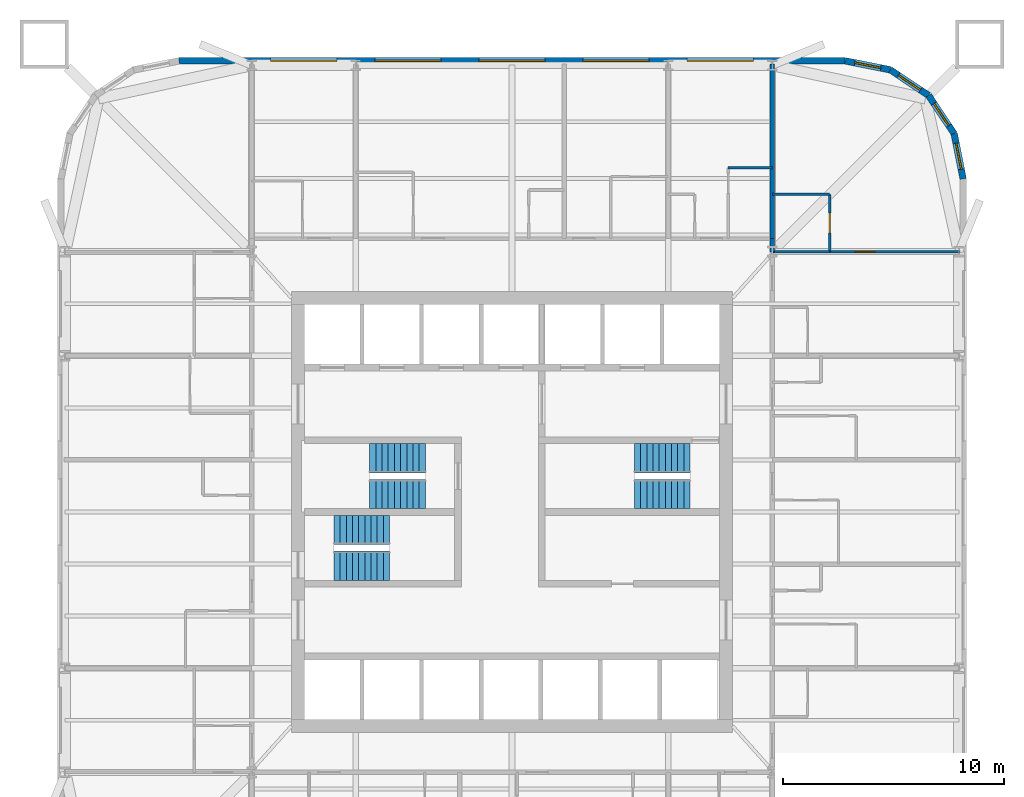
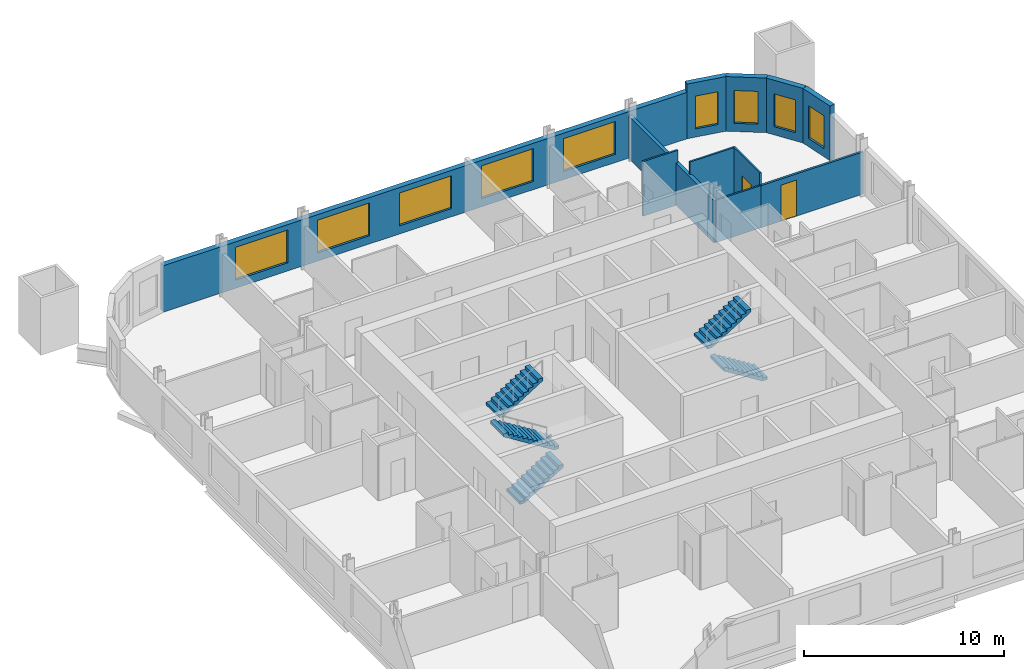
# One storey, part 7 of 8: 12 walls, 9 windows, 6 stair flights, 2 doors, 11 openings, 3 elements without a shape of their own.
"""IFC4 building model written with IfcOpenShell, lengths in metres."""

from ifc_helpers import new_model, si_unit, direction, frame, frame_2d, origin, place, context, subcontext, project, spatial, polyline, rectangle, outline, extrude, material, layer, layer_set, type_object, element, fill, aggregate, save


model = new_model("IFC4")

# Units and contexts
model_context = context("Model", 3, precision=1e-05, world=origin(), true_north=direction((0.0, 1.0)))
body_context = subcontext(model_context, "Body", "Model", "MODEL_VIEW")
ifc_project = project(units=[si_unit("LENGTHUNIT", "METRE"), si_unit("AREAUNIT", "SQUARE_METRE"), si_unit("VOLUMEUNIT", "CUBIC_METRE"), si_unit("PLANEANGLEUNIT", "RADIAN"), si_unit("MASSUNIT", "GRAM", prefix="KILO")], contexts=[model_context])

# Site, building, storey
site_placement = place(None, origin())
site = spatial("IfcSite", under=ifc_project, at=site_placement, CompositionType="ELEMENT")
building_placement = place(site_placement, origin())
building = spatial("IfcBuilding", under=site, at=building_placement, Name="Turquesa Mirador Hotel Tower", CompositionType="ELEMENT")
storey_placement = place(building_placement, frame((0.0, 0.0, 103.89990234375)))
storey = spatial("IfcBuildingStorey", under=building, at=storey_placement, Name="L27", CompositionType="ELEMENT", Elevation=103.89990234375)

# Walls
ifc_material_1 = material(Name="Gypsum board on steel studs", Category="steel")
ifc_layer_1 = layer(ifc_material_1, 0.10009765625)
ifc_layer_set_1 = layer_set([ifc_layer_1], Name="BATHROOM WALL 100")
wall_type_1 = type_object("IfcWallType", Name="BATHROOM WALL 100", PredefinedType="PARTITIONING", material=ifc_layer_set_1)
wall_1_placement = place(storey_placement, frame((66.800048828125, 56.800048828125, 0.0), z_axis=(0.0, 0.0, 1.0), x_axis=(1.0, 0.0, 0.0)))
element("IfcWall", 1, at=wall_1_placement, inside=storey, type_object=wall_type_1, Name="Partition L27 021", PredefinedType="PARTITIONING", context=body_context, shape_type="SweptSolid", body=[
    extrude(rectangle(XDim=2.599853515625, YDim=0.10009765625, at=frame_2d((1.2998046875, 0.0))), origin(), (0.0, 0.0, 1.0), 2.5732421875),
])
wall_2_placement = place(storey_placement, frame((66.800048828125, 59.39990234375, 0.0), z_axis=(0.0, 0.0, 1.0), x_axis=(1.0, 0.0, 0.0)))
element("IfcWall", 2, at=wall_2_placement, inside=storey, type_object=wall_type_1, Name="Partition L27 026", PredefinedType="PARTITIONING", context=body_context, shape_type="SweptSolid", body=[
    extrude(rectangle(XDim=2.599853515625, YDim=0.10009765625, at=frame_2d((1.2998046875, 0.0))), origin(), (0.0, 0.0, 1.0), 3.330078125),
])
wall_3_placement = place(storey_placement, frame((64.800048828125, 60.60009765625, 0.0), z_axis=(0.0, 0.0, 1.0), x_axis=(1.0, 0.0, 0.0)))
element("IfcWall", 3, at=wall_3_placement, inside=storey, type_object=wall_type_1, Name="Partition L27 031", PredefinedType="PARTITIONING", context=body_context, shape_type="SweptSolid", body=[
    extrude(rectangle(XDim=2.0, YDim=0.10009765625, at=frame_2d((1.0, 0.0))), origin(), (0.0, 0.0, 1.0), 3.330078125),
])

# Wall, opening, door
wall_4_placement = place(storey_placement, frame((69.39990234375, 56.800048828125, 0.0), z_axis=(0.0, 0.0, 1.0), x_axis=(0.0, 1.0, 0.0)))
wall_4 = element("IfcWall", 4, at=wall_4_placement, inside=storey, type_object=wall_type_1, Name="Partition L27 068", PredefinedType="PARTITIONING", context=body_context, shape_type="SweptSolid", body=[
    extrude(rectangle(XDim=2.599853515625, YDim=0.10009765625, at=frame_2d((1.2998046875, 0.0))), origin(), (0.0, 0.0, 1.0), 3.330078125),
])
opening_1_placement = place(wall_4_placement, frame((0.85009765625, 0.0, 0.0)))
opening_1 = element("IfcOpeningElement", 5, at=opening_1_placement, cuts=wall_4, Name="Opening D02", PredefinedType="OPENING", context=body_context, shape_type="SweptSolid", body=[
    extrude(rectangle(XDim=0.89990234375, YDim=2.10009765625, at=frame_2d((0.449951171875, 1.050048828125))), frame((0.0, 0.06005859375, 0.0), z_axis=(0.0, -1.0, 0.0), x_axis=(1.0, 0.0, 0.0)), (0.0, 0.0, 1.0), 0.1201171875),
])
ifc_material_2 = material(Name="Timber veneered door", Category="wood")
door_type_1 = type_object("IfcDoorType", Name="DOOR 900X2100 EN-SUITE", OperationType="SINGLE_SWING_RIGHT", PredefinedType="DOOR", material=ifc_material_2)
door_1_placement = place(opening_1_placement, origin())
door_1 = element("IfcDoor", 6, at=door_1_placement, inside=storey, type_object=door_type_1, Name="Door 2713B", OperationType="SINGLE_SWING_RIGHT", OverallHeight=2.10009765625, OverallWidth=0.89990234375, PredefinedType="DOOR", context=body_context, shape_type="SweptSolid", body=[
    extrude(rectangle(XDim=0.89990234375, YDim=2.10009765625, at=frame_2d((0.449951171875, 1.050048828125))), frame((0.0, 0.02490234375, 0.0), z_axis=(0.0, -1.0, 0.0), x_axis=(1.0, 0.0, 0.0)), (0.0, 0.0, 1.0), 0.050048828125),
])
fill(opening_1, door_1)

# Wall
ifc_material_3 = material(Name="Fire-rated gypsum board on steel studs", Category="steel")
ifc_layer_2 = layer(ifc_material_3, 0.199951171875)
ifc_layer_set_2 = layer_set([ifc_layer_2], Name="CORRIDOR WALL 200")
wall_type_2 = type_object("IfcWallType", Name="CORRIDOR WALL 200", PredefinedType="PARTITIONING", material=ifc_layer_set_2)
wall_5_placement = place(storey_placement, frame((66.800048828125, 56.780029296875, 0.0), z_axis=(0.0, 0.0, 1.0), x_axis=(0.0, 1.0, 0.0)))
element("IfcWall", 7, at=wall_5_placement, inside=storey, type_object=wall_type_2, Name="Partition L27 081", PredefinedType="PARTITIONING", context=body_context, shape_type="SweptSolid", body=[
    extrude(rectangle(XDim=0.619873046875, YDim=0.199951171875, at=frame_2d((0.31005859375, 0.0))), origin(), (0.0, 0.0, 1.0), 2.5732421875),
])

# Wall, opening, window
ifc_material_4 = material(Name="Limestone cladding on concrete block", Category="masonry")
ifc_layer_3 = layer(ifc_material_4, 0.300048828125)
ifc_layer_set_3 = layer_set([ifc_layer_3], Name="FACADE WALL 300 STONE SCREEN")
wall_type_3 = type_object("IfcWallType", Name="FACADE WALL 300 STONE SCREEN", PredefinedType="SOLIDWALL", material=ifc_layer_set_3)
wall_6_placement = place(storey_placement, frame((75.449951171875, 60.10009765625, 0.0), z_axis=(0.0, 0.0, 1.0), x_axis=(-0.195081421501, 0.980787050784, 0.0)))
wall_6 = element("IfcWall", 8, at=wall_6_placement, inside=storey, type_object=wall_type_3, Name="Facade wall L27 05", PredefinedType="SOLIDWALL", context=body_context, shape_type="SweptSolid", body=[
    extrude(rectangle(XDim=2.08740234375, YDim=0.300048828125, at=frame_2d((1.043701171875, 0.0))), origin(), (0.0, 0.0, 1.0), 3.330078125),
])
opening_2_placement = place(wall_6_placement, frame((0.443603515625, 0.0, 0.5)))
opening_2 = element("IfcOpeningElement", 9, at=opening_2_placement, cuts=wall_6, Name="Opening WN4", PredefinedType="OPENING", context=body_context, shape_type="SweptSolid", body=[
    extrude(rectangle(XDim=1.199951171875, YDim=2.0, at=frame_2d((0.60009765625, 1.0))), frame((0.0, 0.159912109375, 0.0), z_axis=(0.0, -1.0, 0.0), x_axis=(1.0, 0.0, 0.0)), (0.0, 0.0, 1.0), 0.320068359375),
])
ifc_material_5 = material(Name="Ceramic-fritted laminated glass", Category="glass")
window_type_1 = type_object("IfcWindowType", Name="FRITTED CORNER WINDOW 1200X2000", PartitioningType="DOUBLE_PANEL_HORIZONTAL", PredefinedType="WINDOW", material=ifc_material_5)
window_1_placement = place(opening_2_placement, origin())
window_1 = element("IfcWindow", 10, at=window_1_placement, inside=storey, type_object=window_type_1, Name="Window L27", OverallHeight=2.0, OverallWidth=1.199951171875, PartitioningType="SINGLE_PANEL", PredefinedType="WINDOW", context=body_context, shape_type="SweptSolid", body=[
    extrude(rectangle(XDim=1.199951171875, YDim=2.0, at=frame_2d((0.60009765625, 1.0))), frame((0.0, 0.030029296875, 0.0), z_axis=(0.0, -1.0, 0.0), x_axis=(1.0, 0.0, 0.0)), (0.0, 0.0, 1.0), 0.06005859375),
])
fill(opening_2, window_1)

wall_7_placement = place(storey_placement, frame((75.042724609375, 62.1474609375, 0.0), z_axis=(0.0, 0.0, 1.0), x_axis=(-0.555563607591, 0.831474039234, 0.0)))
wall_7 = element("IfcWall", 11, at=wall_7_placement, inside=storey, type_object=wall_type_3, Name="Facade wall L27 06", PredefinedType="SOLIDWALL", context=body_context, shape_type="SweptSolid", body=[
    extrude(rectangle(XDim=2.08740234375, YDim=0.300048828125, at=frame_2d((1.043701171875, 0.0))), origin(), (0.0, 0.0, 1.0), 3.330078125),
])
opening_3_placement = place(wall_7_placement, frame((0.443603515625, 0.0, 0.5)))
opening_3 = element("IfcOpeningElement", 12, at=opening_3_placement, cuts=wall_7, Name="Opening WN4", PredefinedType="OPENING", context=body_context, shape_type="SweptSolid", body=[
    extrude(rectangle(XDim=1.199951171875, YDim=2.0, at=frame_2d((0.60009765625, 1.0))), frame((0.0, 0.159912109375, 0.0), z_axis=(0.0, -1.0, 0.0), x_axis=(1.0, 0.0, 0.0)), (0.0, 0.0, 1.0), 0.320068359375),
])
window_2_placement = place(opening_3_placement, origin())
window_2 = element("IfcWindow", 13, at=window_2_placement, inside=storey, type_object=window_type_1, Name="Window L27", OverallHeight=2.0, OverallWidth=1.199951171875, PartitioningType="SINGLE_PANEL", PredefinedType="WINDOW", context=body_context, shape_type="SweptSolid", body=[
    extrude(rectangle(XDim=1.199951171875, YDim=2.0, at=frame_2d((0.60009765625, 1.0))), frame((0.0, 0.030029296875, 0.0), z_axis=(0.0, -1.0, 0.0), x_axis=(1.0, 0.0, 0.0)), (0.0, 0.0, 1.0), 0.06005859375),
])
fill(opening_3, window_2)

wall_8_placement = place(storey_placement, frame((73.883056640625, 63.883056640625, 0.0), z_axis=(0.0, 0.0, 1.0), x_axis=(-0.831474039234, 0.555563607591, 0.0)))
wall_8 = element("IfcWall", 14, at=wall_8_placement, inside=storey, type_object=wall_type_3, Name="Facade wall L27 07", PredefinedType="SOLIDWALL", context=body_context, shape_type="SweptSolid", body=[
    extrude(rectangle(XDim=2.08740234375, YDim=0.300048828125, at=frame_2d((1.043701171875, 0.0))), origin(), (0.0, 0.0, 1.0), 3.330078125),
])
opening_4_placement = place(wall_8_placement, frame((0.443603515625, 0.0, 0.5)))
opening_4 = element("IfcOpeningElement", 15, at=opening_4_placement, cuts=wall_8, Name="Opening WN4", PredefinedType="OPENING", context=body_context, shape_type="SweptSolid", body=[
    extrude(rectangle(XDim=1.199951171875, YDim=2.0, at=frame_2d((0.60009765625, 1.0))), frame((0.0, 0.159912109375, 0.0), z_axis=(0.0, -1.0, 0.0), x_axis=(1.0, 0.0, 0.0)), (0.0, 0.0, 1.0), 0.320068359375),
])
window_3_placement = place(opening_4_placement, origin())
window_3 = element("IfcWindow", 16, at=window_3_placement, inside=storey, type_object=window_type_1, Name="Window L27", OverallHeight=2.0, OverallWidth=1.199951171875, PartitioningType="SINGLE_PANEL", PredefinedType="WINDOW", context=body_context, shape_type="SweptSolid", body=[
    extrude(rectangle(XDim=1.199951171875, YDim=2.0, at=frame_2d((0.60009765625, 1.0))), frame((0.0, 0.030029296875, 0.0), z_axis=(0.0, -1.0, 0.0), x_axis=(1.0, 0.0, 0.0)), (0.0, 0.0, 1.0), 0.06005859375),
])
fill(opening_4, window_3)

wall_9_placement = place(storey_placement, frame((72.1474609375, 65.042724609375, 0.0), z_axis=(0.0, 0.0, 1.0), x_axis=(-0.980787050784, 0.195081421501, 0.0)))
wall_9 = element("IfcWall", 17, at=wall_9_placement, inside=storey, type_object=wall_type_3, Name="Facade wall L27 08", PredefinedType="SOLIDWALL", context=body_context, shape_type="SweptSolid", body=[
    extrude(rectangle(XDim=2.08740234375, YDim=0.300048828125, at=frame_2d((1.043701171875, 0.0))), origin(), (0.0, 0.0, 1.0), 3.330078125),
])
opening_5_placement = place(wall_9_placement, frame((0.443603515625, 0.0, 0.5)))
opening_5 = element("IfcOpeningElement", 18, at=opening_5_placement, cuts=wall_9, Name="Opening WN4", PredefinedType="OPENING", context=body_context, shape_type="SweptSolid", body=[
    extrude(rectangle(XDim=1.199951171875, YDim=2.0, at=frame_2d((0.60009765625, 1.0))), frame((0.0, 0.159912109375, 0.0), z_axis=(0.0, -1.0, 0.0), x_axis=(1.0, 0.0, 0.0)), (0.0, 0.0, 1.0), 0.320068359375),
])
window_4_placement = place(opening_5_placement, origin())
window_4 = element("IfcWindow", 19, at=window_4_placement, inside=storey, type_object=window_type_1, Name="Window L27", OverallHeight=2.0, OverallWidth=1.199951171875, PartitioningType="SINGLE_PANEL", PredefinedType="WINDOW", context=body_context, shape_type="SweptSolid", body=[
    extrude(rectangle(XDim=1.199951171875, YDim=2.0, at=frame_2d((0.60009765625, 1.0))), frame((0.0, 0.030029296875, 0.0), z_axis=(0.0, -1.0, 0.0), x_axis=(1.0, 0.0, 0.0)), (0.0, 0.0, 1.0), 0.06005859375),
])
fill(opening_5, window_4)

# Wall, openings, windows
wall_10_placement = place(storey_placement, frame((70.10009765625, 65.449951171875, 0.0), z_axis=(0.0, 0.0, 1.0), x_axis=(-1.0, 0.0, 0.0)))
wall_10 = element("IfcWall", 20, at=wall_10_placement, inside=storey, type_object=wall_type_3, Name="Facade wall L27 09", PredefinedType="SOLIDWALL", context=body_context, shape_type="SweptSolid", body=[
    extrude(rectangle(XDim=30.2001953125, YDim=0.300048828125, at=frame_2d((15.10009765625, 0.0))), origin(), (0.0, 0.0, 1.0), 2.830078125),
])
opening_6_placement = place(wall_10_placement, frame((4.159912109375, 0.0, 0.5)))
opening_6 = element("IfcOpeningElement", 21, at=opening_6_placement, cuts=wall_10, Name="Opening WN1", PredefinedType="OPENING", context=body_context, shape_type="SweptSolid", body=[
    extrude(rectangle(XDim=3.0, YDim=2.0, at=frame_2d((1.5, 1.0))), frame((0.0, 0.159912109375, 0.0), z_axis=(0.0, -1.0, 0.0), x_axis=(1.0, 0.0, 0.0)), (0.0, 0.0, 1.0), 0.320068359375),
])
opening_7_placement = place(wall_10_placement, frame((8.8798828125, 0.0, 0.5)))
opening_7 = element("IfcOpeningElement", 22, at=opening_7_placement, cuts=wall_10, Name="Opening WN1", PredefinedType="OPENING", context=body_context, shape_type="SweptSolid", body=[
    extrude(rectangle(XDim=3.0, YDim=2.0, at=frame_2d((1.5, 1.0))), frame((0.0, 0.159912109375, 0.0), z_axis=(0.0, -1.0, 0.0), x_axis=(1.0, 0.0, 0.0)), (0.0, 0.0, 1.0), 0.320068359375),
])
opening_8_placement = place(wall_10_placement, frame((13.60009765625, 0.0, 0.5)))
opening_8 = element("IfcOpeningElement", 23, at=opening_8_placement, cuts=wall_10, Name="Opening WN1", PredefinedType="OPENING", context=body_context, shape_type="SweptSolid", body=[
    extrude(rectangle(XDim=3.0, YDim=2.0, at=frame_2d((1.5, 1.0))), frame((0.0, 0.159912109375, 0.0), z_axis=(0.0, -1.0, 0.0), x_axis=(1.0, 0.0, 0.0)), (0.0, 0.0, 1.0), 0.320068359375),
])
opening_9_placement = place(wall_10_placement, frame((18.320068359375, 0.0, 0.5)))
opening_9 = element("IfcOpeningElement", 24, at=opening_9_placement, cuts=wall_10, Name="Opening WN1", PredefinedType="OPENING", context=body_context, shape_type="SweptSolid", body=[
    extrude(rectangle(XDim=3.0, YDim=2.0, at=frame_2d((1.5, 1.0))), frame((0.0, 0.159912109375, 0.0), z_axis=(0.0, -1.0, 0.0), x_axis=(1.0, 0.0, 0.0)), (0.0, 0.0, 1.0), 0.320068359375),
])
opening_10_placement = place(wall_10_placement, frame((23.0400390625, 0.0, 0.5)))
opening_10 = element("IfcOpeningElement", 25, at=opening_10_placement, cuts=wall_10, Name="Opening WN1", PredefinedType="OPENING", context=body_context, shape_type="SweptSolid", body=[
    extrude(rectangle(XDim=3.0, YDim=2.0, at=frame_2d((1.5, 1.0))), frame((0.0, 0.159912109375, 0.0), z_axis=(0.0, -1.0, 0.0), x_axis=(1.0, 0.0, 0.0)), (0.0, 0.0, 1.0), 0.320068359375),
])
ifc_material_6 = material(Name="Ceramic-fritted laminated glass", Category="glass")
window_type_2 = type_object("IfcWindowType", Name="FRITTED WINDOW 3000X2000", PartitioningType="DOUBLE_PANEL_HORIZONTAL", PredefinedType="WINDOW", material=ifc_material_6)
window_5_placement = place(opening_6_placement, origin())
window_5 = element("IfcWindow", 26, at=window_5_placement, inside=storey, type_object=window_type_2, Name="Window L27", OverallHeight=2.0, OverallWidth=3.0, PartitioningType="SINGLE_PANEL", PredefinedType="WINDOW", context=body_context, shape_type="SweptSolid", body=[
    extrude(rectangle(XDim=3.0, YDim=2.0, at=frame_2d((1.5, 1.0))), frame((0.0, 0.030029296875, 0.0), z_axis=(0.0, -1.0, 0.0), x_axis=(1.0, 0.0, 0.0)), (0.0, 0.0, 1.0), 0.06005859375),
])
fill(opening_6, window_5)
window_6_placement = place(opening_7_placement, origin())
window_6 = element("IfcWindow", 27, at=window_6_placement, inside=storey, type_object=window_type_2, Name="Window L27", OverallHeight=2.0, OverallWidth=3.0, PartitioningType="SINGLE_PANEL", PredefinedType="WINDOW", context=body_context, shape_type="SweptSolid", body=[
    extrude(rectangle(XDim=3.0, YDim=2.0, at=frame_2d((1.5, 1.0))), frame((0.0, 0.030029296875, 0.0), z_axis=(0.0, -1.0, 0.0), x_axis=(1.0, 0.0, 0.0)), (0.0, 0.0, 1.0), 0.06005859375),
])
fill(opening_7, window_6)
window_7_placement = place(opening_8_placement, origin())
window_7 = element("IfcWindow", 28, at=window_7_placement, inside=storey, type_object=window_type_2, Name="Window L27", OverallHeight=2.0, OverallWidth=3.0, PartitioningType="SINGLE_PANEL", PredefinedType="WINDOW", context=body_context, shape_type="SweptSolid", body=[
    extrude(rectangle(XDim=3.0, YDim=2.0, at=frame_2d((1.5, 1.0))), frame((0.0, 0.030029296875, 0.0), z_axis=(0.0, -1.0, 0.0), x_axis=(1.0, 0.0, 0.0)), (0.0, 0.0, 1.0), 0.06005859375),
])
fill(opening_8, window_7)
window_8_placement = place(opening_9_placement, origin())
window_8 = element("IfcWindow", 29, at=window_8_placement, inside=storey, type_object=window_type_2, Name="Window L27", OverallHeight=2.0, OverallWidth=3.0, PartitioningType="SINGLE_PANEL", PredefinedType="WINDOW", context=body_context, shape_type="SweptSolid", body=[
    extrude(rectangle(XDim=3.0, YDim=2.0, at=frame_2d((1.5, 1.0))), frame((0.0, 0.030029296875, 0.0), z_axis=(0.0, -1.0, 0.0), x_axis=(1.0, 0.0, 0.0)), (0.0, 0.0, 1.0), 0.06005859375),
])
fill(opening_9, window_8)
window_9_placement = place(opening_10_placement, origin())
window_9 = element("IfcWindow", 30, at=window_9_placement, inside=storey, type_object=window_type_2, Name="Window L27", OverallHeight=2.0, OverallWidth=3.0, PartitioningType="SINGLE_PANEL", PredefinedType="WINDOW", context=body_context, shape_type="SweptSolid", body=[
    extrude(rectangle(XDim=3.0, YDim=2.0, at=frame_2d((1.5, 1.0))), frame((0.0, 0.030029296875, 0.0), z_axis=(0.0, -1.0, 0.0), x_axis=(1.0, 0.0, 0.0)), (0.0, 0.0, 1.0), 0.06005859375),
])
fill(opening_10, window_9)

# Wall
ifc_material_7 = material(Name="Fire-rated gypsum board on steel studs", Category="steel")
ifc_layer_4 = layer(ifc_material_7, 0.199951171875)
ifc_layer_set_4 = layer_set([ifc_layer_4], Name="PARTY WALL 200")
wall_type_4 = type_object("IfcWallType", Name="PARTY WALL 200", PredefinedType="PARTITIONING", material=ifc_layer_set_4)
wall_11_placement = place(storey_placement, frame((66.800048828125, 57.39990234375, 0.0), z_axis=(0.0, 0.0, 1.0), x_axis=(0.0, 1.0, 0.0)))
element("IfcWall", 31, at=wall_11_placement, inside=storey, type_object=wall_type_4, Name="Partition L27 062", PredefinedType="PARTITIONING", context=body_context, shape_type="SweptSolid", body=[
    extrude(rectangle(XDim=7.900146484375, YDim=0.199951171875, at=frame_2d((3.9501953125, 0.0))), origin(), (0.0, 0.0, 1.0), 2.5732421875),
])

# Wall, opening, door
ifc_material_8 = material(Name="Acoustic gypsum board on steel studs", Category="steel")
ifc_layer_5 = layer(ifc_material_8, 0.125)
ifc_layer_set_5 = layer_set([ifc_layer_5], Name="SUITE PARTITION 125")
wall_type_5 = type_object("IfcWallType", Name="SUITE PARTITION 125", PredefinedType="PARTITIONING", material=ifc_layer_set_5)
wall_12_placement = place(storey_placement, frame((69.39990234375, 56.800048828125, 0.0), z_axis=(0.0, 0.0, 1.0), x_axis=(1.0, 0.0, 0.0)))
wall_12 = element("IfcWall", 32, at=wall_12_placement, inside=storey, type_object=wall_type_5, Name="Partition L27 023", PredefinedType="PARTITIONING", context=body_context, shape_type="SweptSolid", body=[
    extrude(rectangle(XDim=5.900146484375, YDim=0.125, at=frame_2d((2.9501953125, 0.0))), origin(), (0.0, 0.0, 1.0), 2.5732421875),
])
opening_11_placement = place(wall_12_placement, frame((1.14990234375, 0.0, 0.0)))
opening_11 = element("IfcOpeningElement", 33, at=opening_11_placement, cuts=wall_12, Name="Opening D17", PredefinedType="OPENING", context=body_context, shape_type="SweptSolid", body=[
    extrude(rectangle(XDim=0.89990234375, YDim=2.199951171875, at=frame_2d((0.449951171875, 1.10009765625))), frame((0.0, 0.072509765625, 0.0), z_axis=(0.0, -1.0, 0.0), x_axis=(1.0, 0.0, 0.0)), (0.0, 0.0, 1.0), 0.14501953125),
])
ifc_material_9 = material(Name="Timber veneered door", Category="wood")
door_type_2 = type_object("IfcDoorType", Name="DOOR 900X2200 SUITE INTERNAL", OperationType="SINGLE_SWING_LEFT", PredefinedType="DOOR", material=ifc_material_9)
door_2_placement = place(opening_11_placement, origin())
door_2 = element("IfcDoor", 34, at=door_2_placement, inside=storey, type_object=door_type_2, Name="Door 2713R", OperationType="SINGLE_SWING_LEFT", OverallHeight=2.199951171875, OverallWidth=0.89990234375, PredefinedType="DOOR", context=body_context, shape_type="SweptSolid", body=[
    extrude(rectangle(XDim=0.89990234375, YDim=2.199951171875, at=frame_2d((0.449951171875, 1.10009765625))), frame((0.0, 0.02490234375, 0.0), z_axis=(0.0, -1.0, 0.0), x_axis=(1.0, 0.0, 0.0)), (0.0, 0.0, 1.0), 0.050048828125),
])
fill(opening_11, door_2)

# Stair, stair flights
ifc_material_10 = material(Name="Concrete C35/45", Category="concrete")
stair_type = type_object("IfcStairType", Name="ESCAPE STAIR CORE", PredefinedType="HALF_TURN_STAIR", material=ifc_material_10)
stair_1_placement = place(storey_placement, origin())
stair_1 = element("IfcStair", 35, at=stair_1_placement, inside=storey, type_object=stair_type, Name="Stair ST1 L27 to L28", PredefinedType="HALF_TURN_STAIR")
ifc_material_11 = material(Name="Concrete C35/45 precast flight", Category="concrete")
stair_flight_type = type_object("IfcStairFlightType", Name="STAIR FLIGHT 1330", PredefinedType="STRAIGHT", material=ifc_material_11)
stair_flight_1_placement = place(storey_placement, frame((51.070068359375, 45.81494140625, 0.0), z_axis=(0.0, 0.0, 1.0), x_axis=(-1.0, 0.0, 0.0)))
stair_flight_1 = element("IfcStairFlight", 36, at=stair_flight_1_placement, type_object=stair_flight_type, Name="ST1 flight 1", NumberOfRisers=10, NumberOfTreads=9, PredefinedType="STRAIGHT", RiserHeight=0.175, TreadLength=0.28, context=body_context, shape_type="SweptSolid", body=[
    extrude(outline(polyline([(0.0, 0.0), (0.0, 0.175048828125), (0.280029296875, 0.175048828125), (0.280029296875, 0.35009765625), (0.56005859375, 0.35009765625), (0.56005859375, 0.52490234375), (0.840087890625, 0.52490234375), (0.840087890625, 0.699951171875), (1.1201171875, 0.699951171875), (1.1201171875, 0.875), (1.39990234375, 0.875), (1.39990234375, 1.050048828125), (1.679931640625, 1.050048828125), (1.679931640625, 1.22509765625), (1.9599609375, 1.22509765625), (1.9599609375, 1.39990234375), (2.239990234375, 1.39990234375), (2.239990234375, 1.574951171875), (2.52001953125, 1.574951171875), (2.52001953125, 1.75), (2.52001953125, 1.398193359375), (0.28271484375, 0.0), (0.0, 0.0)])), frame((0.0, 0.6650390625, 0.0), z_axis=(0.0, -1.0, 0.0), x_axis=(1.0, 0.0, 0.0)), (0.0, 0.0, 1.0), 1.330078125),
])
stair_flight_2_placement = place(storey_placement, frame((48.550048828125, 47.43505859375, 1.75), z_axis=(0.0, 0.0, 1.0), x_axis=(1.0, 0.0, 0.0)))
stair_flight_2 = element("IfcStairFlight", 37, at=stair_flight_2_placement, type_object=stair_flight_type, Name="ST1 flight 2", NumberOfRisers=10, NumberOfTreads=9, PredefinedType="STRAIGHT", RiserHeight=0.175, TreadLength=0.28, context=body_context, shape_type="SweptSolid", body=[
    extrude(outline(polyline([(0.0, 0.0), (0.0, 0.175048828125), (0.280029296875, 0.175048828125), (0.280029296875, 0.35009765625), (0.56005859375, 0.35009765625), (0.56005859375, 0.52490234375), (0.840087890625, 0.52490234375), (0.840087890625, 0.699951171875), (1.1201171875, 0.699951171875), (1.1201171875, 0.875), (1.39990234375, 0.875), (1.39990234375, 1.050048828125), (1.679931640625, 1.050048828125), (1.679931640625, 1.22509765625), (1.9599609375, 1.22509765625), (1.9599609375, 1.39990234375), (2.239990234375, 1.39990234375), (2.239990234375, 1.574951171875), (2.52001953125, 1.574951171875), (2.52001953125, 1.75), (2.52001953125, 1.398193359375), (0.28271484375, 0.0), (0.0, 0.0)])), frame((0.0, 0.6650390625, 0.0), z_axis=(0.0, -1.0, 0.0), x_axis=(1.0, 0.0, 0.0)), (0.0, 0.0, 1.0), 1.330078125),
])
aggregate(stair_1, [stair_flight_1, stair_flight_2])

stair_2_placement = place(storey_placement, origin())
stair_2 = element("IfcStair", 38, at=stair_2_placement, inside=storey, type_object=stair_type, Name="Stair ST2 L27 to L28", PredefinedType="HALF_TURN_STAIR")
stair_flight_3_placement = place(storey_placement, frame((46.929931640625, 42.56494140625, 0.0), z_axis=(0.0, 0.0, 1.0), x_axis=(1.0, 0.0, 0.0)))
stair_flight_3 = element("IfcStairFlight", 39, at=stair_flight_3_placement, type_object=stair_flight_type, Name="ST2 flight 1", NumberOfRisers=10, NumberOfTreads=9, PredefinedType="STRAIGHT", RiserHeight=0.175, TreadLength=0.28, context=body_context, shape_type="SweptSolid", body=[
    extrude(outline(polyline([(0.0, 0.0), (0.0, 0.175048828125), (0.280029296875, 0.175048828125), (0.280029296875, 0.35009765625), (0.56005859375, 0.35009765625), (0.56005859375, 0.52490234375), (0.840087890625, 0.52490234375), (0.840087890625, 0.699951171875), (1.1201171875, 0.699951171875), (1.1201171875, 0.875), (1.39990234375, 0.875), (1.39990234375, 1.050048828125), (1.679931640625, 1.050048828125), (1.679931640625, 1.22509765625), (1.9599609375, 1.22509765625), (1.9599609375, 1.39990234375), (2.239990234375, 1.39990234375), (2.239990234375, 1.574951171875), (2.52001953125, 1.574951171875), (2.52001953125, 1.75), (2.52001953125, 1.398193359375), (0.28271484375, 0.0), (0.0, 0.0)])), frame((0.0, 0.6650390625, 0.0), z_axis=(0.0, -1.0, 0.0), x_axis=(1.0, 0.0, 0.0)), (0.0, 0.0, 1.0), 1.330078125),
])
stair_flight_4_placement = place(storey_placement, frame((49.449951171875, 44.18505859375, 1.75), z_axis=(0.0, 0.0, 1.0), x_axis=(-1.0, 0.0, 0.0)))
stair_flight_4 = element("IfcStairFlight", 40, at=stair_flight_4_placement, type_object=stair_flight_type, Name="ST2 flight 2", NumberOfRisers=10, NumberOfTreads=9, PredefinedType="STRAIGHT", RiserHeight=0.175, TreadLength=0.28, context=body_context, shape_type="SweptSolid", body=[
    extrude(outline(polyline([(0.0, 0.0), (0.0, 0.175048828125), (0.280029296875, 0.175048828125), (0.280029296875, 0.35009765625), (0.56005859375, 0.35009765625), (0.56005859375, 0.52490234375), (0.840087890625, 0.52490234375), (0.840087890625, 0.699951171875), (1.1201171875, 0.699951171875), (1.1201171875, 0.875), (1.39990234375, 0.875), (1.39990234375, 1.050048828125), (1.679931640625, 1.050048828125), (1.679931640625, 1.22509765625), (1.9599609375, 1.22509765625), (1.9599609375, 1.39990234375), (2.239990234375, 1.39990234375), (2.239990234375, 1.574951171875), (2.52001953125, 1.574951171875), (2.52001953125, 1.75), (2.52001953125, 1.398193359375), (0.28271484375, 0.0), (0.0, 0.0)])), frame((0.0, 0.6650390625, 0.0), z_axis=(0.0, -1.0, 0.0), x_axis=(1.0, 0.0, 0.0)), (0.0, 0.0, 1.0), 1.330078125),
])
aggregate(stair_2, [stair_flight_3, stair_flight_4])

stair_3_placement = place(storey_placement, origin())
stair_3 = element("IfcStair", 41, at=stair_3_placement, inside=storey, type_object=stair_type, Name="Stair ST3 L27 to L28", PredefinedType="HALF_TURN_STAIR")
stair_flight_5_placement = place(storey_placement, frame((63.070068359375, 45.81494140625, 0.0), z_axis=(0.0, 0.0, 1.0), x_axis=(-1.0, 0.0, 0.0)))
stair_flight_5 = element("IfcStairFlight", 42, at=stair_flight_5_placement, type_object=stair_flight_type, Name="ST3 flight 1", NumberOfRisers=10, NumberOfTreads=9, PredefinedType="STRAIGHT", RiserHeight=0.175, TreadLength=0.28, context=body_context, shape_type="SweptSolid", body=[
    extrude(outline(polyline([(0.0, 0.0), (0.0, 0.175048828125), (0.280029296875, 0.175048828125), (0.280029296875, 0.35009765625), (0.56005859375, 0.35009765625), (0.56005859375, 0.52490234375), (0.840087890625, 0.52490234375), (0.840087890625, 0.699951171875), (1.1201171875, 0.699951171875), (1.1201171875, 0.875), (1.39990234375, 0.875), (1.39990234375, 1.050048828125), (1.679931640625, 1.050048828125), (1.679931640625, 1.22509765625), (1.9599609375, 1.22509765625), (1.9599609375, 1.39990234375), (2.239990234375, 1.39990234375), (2.239990234375, 1.574951171875), (2.52001953125, 1.574951171875), (2.52001953125, 1.75), (2.52001953125, 1.398193359375), (0.28271484375, 0.0), (0.0, 0.0)])), frame((0.0, 0.6650390625, 0.0), z_axis=(0.0, -1.0, 0.0), x_axis=(1.0, 0.0, 0.0)), (0.0, 0.0, 1.0), 1.330078125),
])
stair_flight_6_placement = place(storey_placement, frame((60.550048828125, 47.43505859375, 1.75), z_axis=(0.0, 0.0, 1.0), x_axis=(1.0, 0.0, 0.0)))
stair_flight_6 = element("IfcStairFlight", 43, at=stair_flight_6_placement, type_object=stair_flight_type, Name="ST3 flight 2", NumberOfRisers=10, NumberOfTreads=9, PredefinedType="STRAIGHT", RiserHeight=0.175, TreadLength=0.28, context=body_context, shape_type="SweptSolid", body=[
    extrude(outline(polyline([(0.0, 0.0), (0.0, 0.175048828125), (0.280029296875, 0.175048828125), (0.280029296875, 0.35009765625), (0.56005859375, 0.35009765625), (0.56005859375, 0.52490234375), (0.840087890625, 0.52490234375), (0.840087890625, 0.699951171875), (1.1201171875, 0.699951171875), (1.1201171875, 0.875), (1.39990234375, 0.875), (1.39990234375, 1.050048828125), (1.679931640625, 1.050048828125), (1.679931640625, 1.22509765625), (1.9599609375, 1.22509765625), (1.9599609375, 1.39990234375), (2.239990234375, 1.39990234375), (2.239990234375, 1.574951171875), (2.52001953125, 1.574951171875), (2.52001953125, 1.75), (2.52001953125, 1.398193359375), (0.28271484375, 0.0), (0.0, 0.0)])), frame((0.0, 0.6650390625, 0.0), z_axis=(0.0, -1.0, 0.0), x_axis=(1.0, 0.0, 0.0)), (0.0, 0.0, 1.0), 1.330078125),
])
aggregate(stair_3, [stair_flight_5, stair_flight_6])

save(model, "model.ifc")
